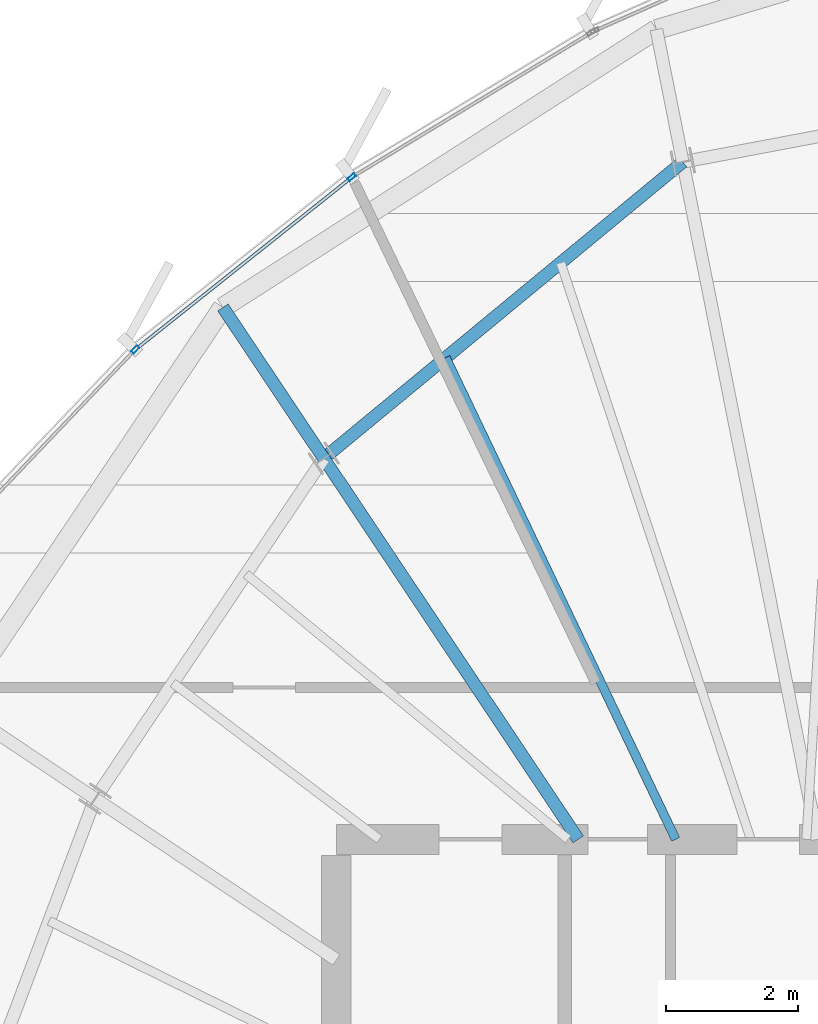
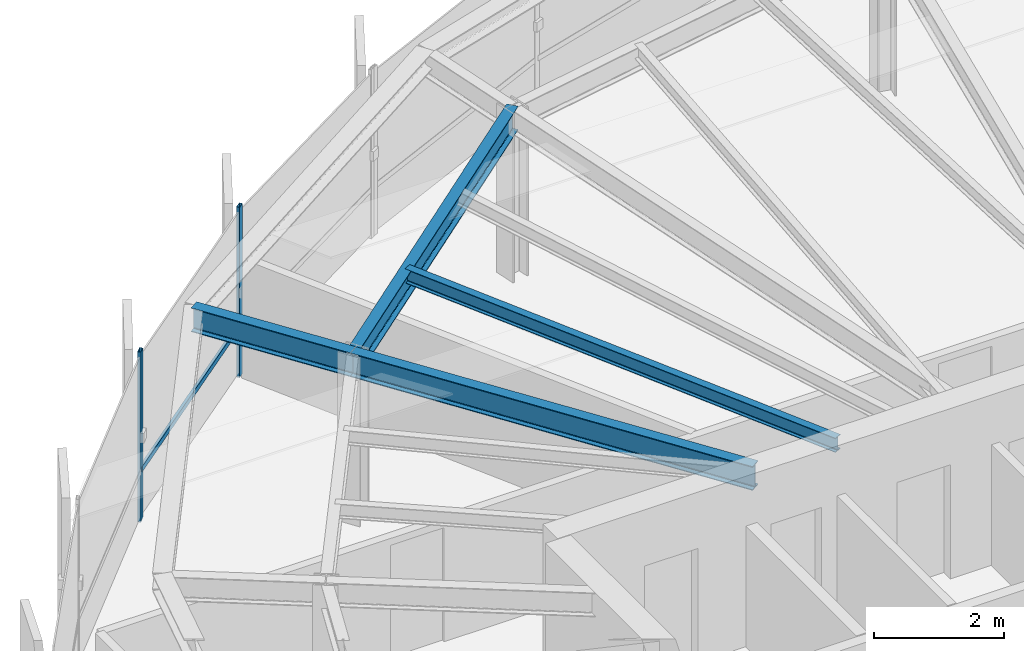
# One storey, part 19 of 33: 4 beams, 3 members, 1 element without a shape of its own.
"""IFC4 building model written with IfcOpenShell, lengths in metres."""

from ifc_helpers import new_model, si_unit, direction, frame, origin, origin_2d, place, context, subcontext, project, spatial, hollow_rectangle, i_section, extrude, source, transform, mapped, material, layer, layer_set, material_profile, profile_set, type_object, element, aggregate, save


model = new_model("IFC4")

# Units and contexts
model_context = context("Model", 3, precision=1e-05, world=origin(), true_north=direction((0.0, 1.0)))
body_context = subcontext(model_context, "Body", "Model", "MODEL_VIEW")
ifc_project = project(units=[si_unit("LENGTHUNIT", "METRE"), si_unit("AREAUNIT", "SQUARE_METRE"), si_unit("VOLUMEUNIT", "CUBIC_METRE"), si_unit("PLANEANGLEUNIT", "RADIAN"), si_unit("MASSUNIT", "GRAM", prefix="KILO"), si_unit("THERMODYNAMICTEMPERATUREUNIT", "KELVIN")], contexts=[model_context])

# Site, building, storey
site_placement = place(None, origin())
site = spatial("IfcSite", under=ifc_project, at=site_placement, CompositionType="ELEMENT")
building_placement = place(site_placement, origin())
building = spatial("IfcBuilding", under=site, at=building_placement, Name="Kethvar Cultural Tower", CompositionType="ELEMENT")
storey_placement = place(building_placement, frame((0.0, 0.0, 238.75)))
storey = spatial("IfcBuildingStorey", under=building, at=storey_placement, Name="L62", CompositionType="ELEMENT", Elevation=238.75)

# Beams
ifc_material_1 = material(Name="Steel S355J2", Category="steel")
ifc_material_profile_1 = material_profile(ifc_material_1, i_section(OverallWidth=0.18994140625, OverallDepth=0.449951171875, WebThickness=0.009521484375, FlangeThickness=0.0146484375, FilletRadius=0.02099609375, at=origin_2d()), Name="Steel S355J2 — IPE450")
ifc_profile_set_1 = profile_set([ifc_material_profile_1], Name="Steel S355J2 — IPE450")
beam_type_1 = type_object("IfcBeamType", Name="BM-IPE450", PredefinedType="BEAM", material=ifc_profile_set_1)
shared_shape_1 = source(origin(), body_context, "Body", "SweptSolid", [
    extrude(i_section(OverallWidth=0.18994140625, OverallDepth=0.449951171875, WebThickness=0.009521484375, FlangeThickness=0.0146484375, FilletRadius=0.02099609375, at=origin_2d()), origin(), (0.0, 0.0, 1.0), 6.921630859375),
])
beam_1_placement = place(storey_placement, frame((41.655029296875, 35.5, 2.98291015625), z_axis=(-0.555570841874, 0.831469205479, 0.0), x_axis=(-0.831469205479, -0.555570841874, 0.0)))
element("IfcBeam", 1, at=beam_1_placement, inside=storey, type_object=beam_type_1, Name="L62 Primary Radial Beam RB-06", PredefinedType="BEAM", context=body_context, shape_type="MappedRepresentation", body=[
    mapped(shared_shape_1, transform((0.0, 0.0, 0.0), scale=1.0)),
])
shared_shape_2 = source(origin(), body_context, "Body", "SweptSolid", [
    extrude(i_section(OverallWidth=0.18994140625, OverallDepth=0.449951171875, WebThickness=0.009521484375, FlangeThickness=0.0146484375, FilletRadius=0.02099609375, at=origin_2d()), origin(), (0.0, 0.0, 1.0), 7.03271484375),
])
beam_2_placement = place(storey_placement, frame((43.23291015625, 45.732421875, 2.98291015625), z_axis=(-0.771161072103, -0.636640087391, 0.0), x_axis=(0.636640087391, -0.771161072103, 0.0)))
element("IfcBeam", 2, at=beam_2_placement, inside=storey, type_object=beam_type_1, Name="L62 Column Ring Tie Beam CR-05", PredefinedType="BEAM", context=body_context, shape_type="MappedRepresentation", body=[
    mapped(shared_shape_2, transform((0.0, 0.0, 0.0), scale=1.0)),
])
ifc_material_profile_2 = material_profile(ifc_material_1, i_section(OverallWidth=0.135009765625, OverallDepth=0.27001953125, WebThickness=0.006591796875, FlangeThickness=0.01025390625, FilletRadius=0.014892578125, at=origin_2d()), Name="Steel S355J2 — IPE270")
ifc_profile_set_2 = profile_set([ifc_material_profile_2], Name="Steel S355J2 — IPE270")
beam_type_2 = type_object("IfcBeamType", Name="BM-J270", PredefinedType="JOIST", material=ifc_profile_set_2)
shared_shape_3 = source(origin(), body_context, "Body", "SweptSolid", [
    extrude(i_section(OverallWidth=0.135009765625, OverallDepth=0.27001953125, WebThickness=0.006591796875, FlangeThickness=0.01025390625, FilletRadius=0.014892578125, at=origin_2d()), origin(), (0.0, 0.0, 1.0), 8.063232421875),
])
beam_3_placement = place(storey_placement, frame((43.1259765625, 35.5, 3.072998046875), z_axis=(-0.430642151588, 0.902522762746, 0.0), x_axis=(-0.902522762746, -0.430642151588, 0.0)))
element("IfcBeam", 3, at=beam_3_placement, inside=storey, type_object=beam_type_2, Name="L62 Composite Floor Joist J-05B", PredefinedType="JOIST", context=body_context, shape_type="MappedRepresentation", body=[
    mapped(shared_shape_3, transform((0.0, 0.0, 0.0), scale=1.0)),
])
shared_shape_4 = source(origin(), body_context, "Body", "SweptSolid", [
    extrude(i_section(OverallWidth=0.18994140625, OverallDepth=0.449951171875, WebThickness=0.009521484375, FlangeThickness=0.0146484375, FilletRadius=0.02099609375, at=origin_2d()), origin(), (0.0, 0.0, 1.0), 2.74267578125),
])
beam_4_placement = place(storey_placement, frame((37.8095703125, 41.255126953125, 2.98291015625), z_axis=(-0.555542130166, 0.831488389342, 0.0), x_axis=(-0.831488389342, -0.555542130166, 0.0)))
element("IfcBeam", 4, at=beam_4_placement, inside=storey, type_object=beam_type_1, Name="L62 Perimeter Cantilever Beam RC-06", PredefinedType="BEAM", context=body_context, shape_type="MappedRepresentation", body=[
    mapped(shared_shape_4, transform((0.0, 0.0, 0.0), scale=1.0)),
])

# Curtain wall, members
ifc_material_2 = material(Name="Aluminium 6063-T6", Category="aluminium")
ifc_layer = layer(ifc_material_2, 0.179931640625, Name="Aluminium 6063-T6", Category="aluminium")
ifc_layer_set = layer_set([ifc_layer], Name="Aluminium 6063-T6 (180 mm)")
curtain_wall_type = type_object("IfcCurtainWallType", Name="CW-SYS-05-Z56", PredefinedType="NOTDEFINED", material=ifc_layer_set)
curtain_wall_placement = place(storey_placement, origin())
curtain_wall = element("IfcCurtainWall", 5, at=curtain_wall_placement, inside=storey, type_object=curtain_wall_type, Name="L62 Curtain Wall Run 02", PredefinedType="NOTDEFINED")
ifc_material_profile_3 = material_profile(ifc_material_2, hollow_rectangle(XDim=0.054931640625, YDim=0.1201171875, WallThickness=0.00390625, at=origin_2d()), Name="Aluminium 6063-T6 — RHS120x55x4")
ifc_profile_set_3 = profile_set([ifc_material_profile_3], Name="Aluminium 6063-T6 — RHS120x55x4")
member_type_1 = type_object("IfcMemberType", Name="CW-SYS-05-Z56-MUL", PredefinedType="MULLION", material=ifc_profile_set_3)
shared_shape_5 = source(origin(), body_context, "Body", "SweptSolid", [
    extrude(hollow_rectangle(XDim=0.054931640625, YDim=0.1201171875, WallThickness=0.00390625, at=origin_2d()), origin(), (0.0, 0.0, 1.0), 3.2099609375),
])
member_1_placement = place(storey_placement, frame((38.235595703125, 45.504150390625, 0.0), z_axis=(0.0, 0.0, 1.0), x_axis=(0.622978936034, -0.782238611459, 0.0)))
member_1 = element("IfcMember", 6, at=member_1_placement, type_object=member_type_1, Name="CW-L62-R02 Mullion 2", PredefinedType="MULLION", context=body_context, shape_type="MappedRepresentation", body=[
    mapped(shared_shape_5, transform((0.0, 0.0, 0.0), scale=1.0)),
])
member_2_placement = place(storey_placement, frame((34.961181640625, 42.897705078125, 0.0), z_axis=(0.0, 0.0, 1.0), x_axis=(0.723425197438, -0.690402769195, 0.0)))
member_2 = element("IfcMember", 7, at=member_2_placement, type_object=member_type_1, Name="CW-L62-R02 Mullion 3", PredefinedType="MULLION", context=body_context, shape_type="MappedRepresentation", body=[
    mapped(shared_shape_5, transform((0.0, 0.0, 0.0), scale=1.0)),
])
ifc_material_profile_4 = material_profile(ifc_material_2, hollow_rectangle(XDim=0.050048828125, YDim=0.10009765625, WallThickness=0.00390625, at=origin_2d()), Name="Aluminium 6063-T6 — RHS100x50x4")
ifc_profile_set_4 = profile_set([ifc_material_profile_4], Name="Aluminium 6063-T6 — RHS100x50x4")
member_type_2 = type_object("IfcMemberType", Name="CW-SYS-05-Z56-TRN", PredefinedType="USERDEFINED", material=ifc_profile_set_4)
shared_shape_6 = source(origin(), body_context, "Body", "SweptSolid", [
    extrude(hollow_rectangle(XDim=0.050048828125, YDim=0.10009765625, WallThickness=0.00390625, at=origin_2d()), origin(), (0.0, 0.0, 1.0), 4.11962890625),
])
member_3_placement = place(storey_placement, frame((38.20458984375, 45.4794921875, 0.949951171875), z_axis=(-0.782231474418, -0.622987897499, 0.0), x_axis=(0.622987897499, -0.782231474418, 0.0)))
member_3 = element("IfcMember", 8, at=member_3_placement, type_object=member_type_2, Name="CW-L62-R02 Transom 2", ObjectType="TRANSOM", PredefinedType="USERDEFINED", context=body_context, shape_type="MappedRepresentation", body=[
    mapped(shared_shape_6, transform((0.0, 0.0, 0.0), scale=1.0)),
])
aggregate(curtain_wall, [member_1, member_2, member_3])

save(model, "model.ifc")
